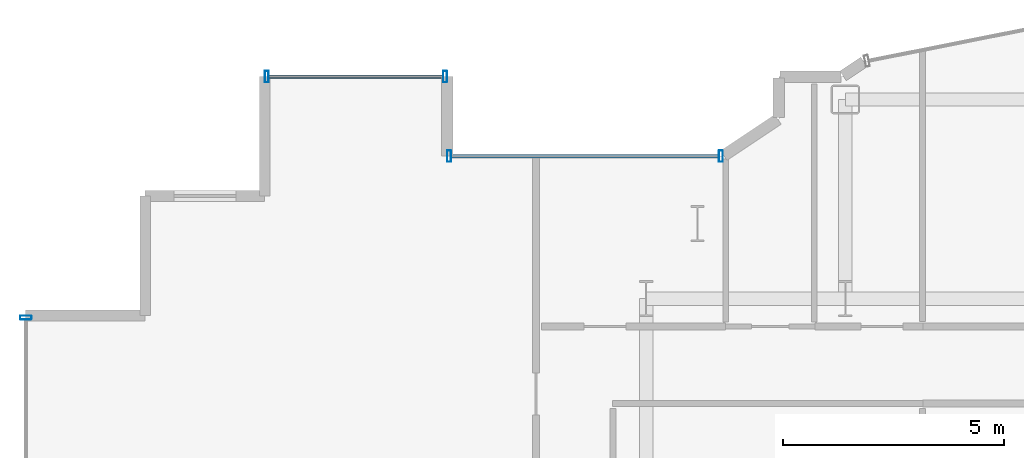
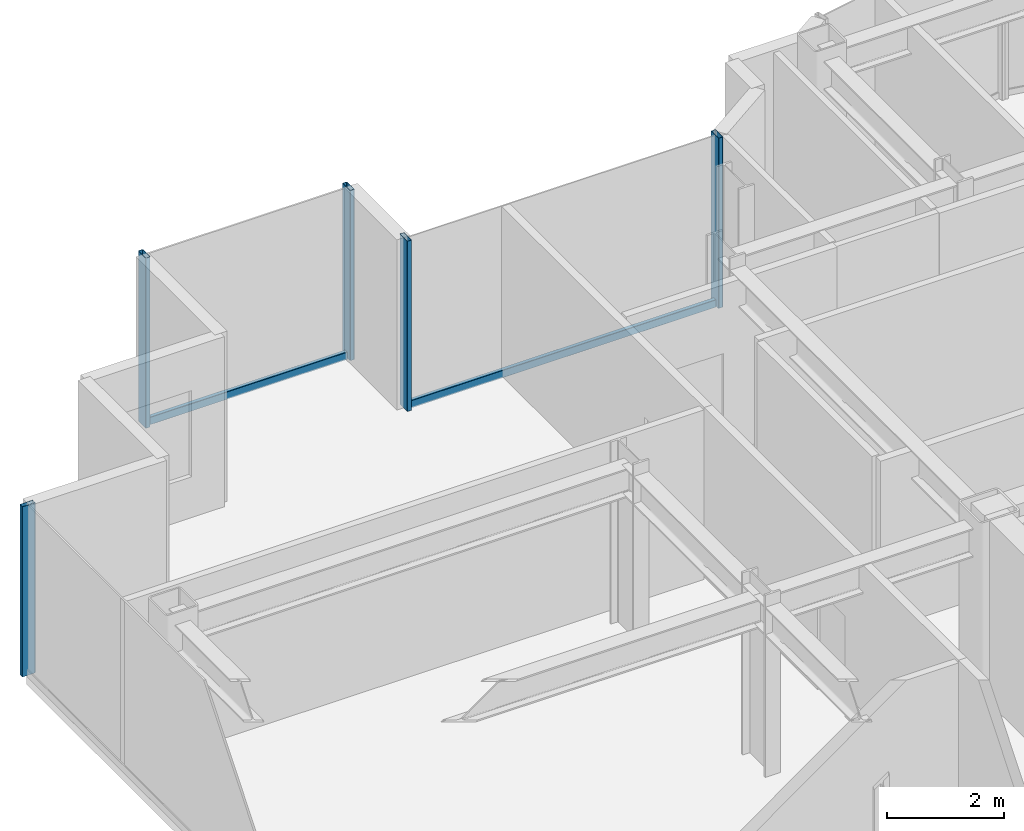
# One storey, part 8 of 20: 7 members, 3 elements without a shape of their own.
"""IFC4 building model written with IfcOpenShell, lengths in metres."""

from ifc_helpers import new_model, si_unit, direction, frame, origin, origin_2d, place, context, subcontext, project, spatial, hollow_rectangle, extrude, source, transform, mapped, material, layer, layer_set, material_profile, profile_set, type_object, element, aggregate, save


model = new_model("IFC4")

# Units and contexts
model_context = context("Model", 3, precision=1e-05, world=origin(), true_north=direction((0.0, 1.0)))
body_context = subcontext(model_context, "Body", "Model", "MODEL_VIEW")
ifc_project = project(units=[si_unit("LENGTHUNIT", "METRE"), si_unit("AREAUNIT", "SQUARE_METRE"), si_unit("VOLUMEUNIT", "CUBIC_METRE"), si_unit("PLANEANGLEUNIT", "RADIAN"), si_unit("MASSUNIT", "GRAM", prefix="KILO")], contexts=[model_context])

# Site, building, storey
site_placement = place(None, origin())
site = spatial("IfcSite", under=ifc_project, at=site_placement, CompositionType="ELEMENT")
building_placement = place(site_placement, origin())
building = spatial("IfcBuilding", under=site, at=building_placement, Name="Nefas-Gora Pilgrimage Tower", CompositionType="ELEMENT")
storey_placement = place(building_placement, frame((0.0, 0.0, 244.60009765625)))
storey = spatial("IfcBuildingStorey", under=building, at=storey_placement, Name="L61", CompositionType="ELEMENT", Elevation=244.60009765625)

# Curtain wall, members
ifc_material_1 = material(Name="Dark ceramic-fritted solar-control aluminium-glass curtain wall", Category="aluminium")
ifc_layer_1 = layer(ifc_material_1, 0.219970703125)
ifc_layer_set_1 = layer_set([ifc_layer_1], Name="Dark ceramic-fritted solar-control aluminium-glass curtain wall")
curtain_wall_type_1 = type_object("IfcCurtainWallType", Name="CW-SYS-5", PredefinedType="NOTDEFINED", material=ifc_layer_set_1)
curtain_wall_1_placement = place(storey_placement, origin())
curtain_wall_1 = element("IfcCurtainWall", 1, at=curtain_wall_1_placement, inside=storey, type_object=curtain_wall_type_1, Name="L61 Unitised Curtain Wall CW5", PredefinedType="NOTDEFINED")
ifc_material_2 = material(Name="Anodised architectural aluminium", Category="aluminium")
ifc_material_profile_1 = material_profile(ifc_material_2, hollow_rectangle(XDim=0.080078125, YDim=0.159912109375, WallThickness=0.00439453125, InnerFilletRadius=0.00439453125, OuterFilletRadius=0.009033203125, at=origin_2d()), Name="ALU TRANSOM 80x160")
ifc_profile_set_1 = profile_set([ifc_material_profile_1], Name="Anodised architectural aluminium")
member_type_1 = type_object("IfcMemberType", Name="CWM-TRN-5", PredefinedType="USERDEFINED", material=ifc_profile_set_1)
shared_shape_1 = source(origin(), body_context, "Body", "SweptSolid", [
    extrude(hollow_rectangle(XDim=0.080078125, YDim=0.159912109375, WallThickness=0.00439453125, InnerFilletRadius=0.00439453125, OuterFilletRadius=0.009033203125, at=origin_2d()), origin(), (0.0, 0.0, 1.0), 6.052001953125),
])
member_1_placement = place(storey_placement, frame((-9.60791015625, 21.219970703125, 0.0498046875), z_axis=(-1.0, 0.0, 0.0), x_axis=(0.0, -1.0, 0.0)))
member_1 = element("IfcMember", 2, at=member_1_placement, type_object=member_type_1, Name="CW5 Spandrel Transom", ObjectType="TRANSOM", PredefinedType="USERDEFINED", context=body_context, shape_type="MappedRepresentation", body=[
    mapped(shared_shape_1, transform((0.0, 0.0, 0.0), x_axis=(1.0, 0.0, 0.0), y_axis=(0.0, 1.0, 0.0), z_axis=(0.0, 0.0, 1.0), scale=1.0)),
])
ifc_material_profile_2 = material_profile(ifc_material_2, hollow_rectangle(XDim=0.090087890625, YDim=0.260009765625, WallThickness=0.006103515625, InnerFilletRadius=0.006103515625, OuterFilletRadius=0.011962890625, at=origin_2d()), Name="ALU MULLION 90x260")
ifc_profile_set_2 = profile_set([ifc_material_profile_2], Name="Anodised architectural aluminium")
member_type_2 = type_object("IfcMemberType", Name="CWM-MUL-5", PredefinedType="MULLION", material=ifc_profile_set_2)
shared_shape_2 = source(origin(), body_context, "Body", "SweptSolid", [
    extrude(hollow_rectangle(XDim=0.090087890625, YDim=0.260009765625, WallThickness=0.006103515625, InnerFilletRadius=0.006103515625, OuterFilletRadius=0.011962890625, at=origin_2d()), origin(), (0.0, 0.0, 1.0), 3.5498046875),
])
member_2_placement = place(storey_placement, frame((-9.56298828125, 21.219970703125, 0.0), z_axis=(0.0, 0.0, 1.0), x_axis=(-1.0, 0.0, 0.0)))
member_2 = element("IfcMember", 3, at=member_2_placement, type_object=member_type_2, Name="CW5 Mullion 1", PredefinedType="MULLION", context=body_context, shape_type="MappedRepresentation", body=[
    mapped(shared_shape_2, transform((0.0, 0.0, 0.0), x_axis=(1.0, 0.0, 0.0), y_axis=(0.0, 1.0, 0.0), z_axis=(0.0, 0.0, 1.0), scale=1.0)),
])
member_3_placement = place(storey_placement, frame((-15.705078125, 21.219970703125, 0.0), z_axis=(0.0, 0.0, 1.0), x_axis=(-1.0, 0.0, 0.0)))
member_3 = element("IfcMember", 4, at=member_3_placement, type_object=member_type_2, Name="CW5 Mullion 2", PredefinedType="MULLION", context=body_context, shape_type="MappedRepresentation", body=[
    mapped(shared_shape_2, transform((0.0, 0.0, 0.0), x_axis=(1.0, 0.0, 0.0), y_axis=(0.0, 1.0, 0.0), z_axis=(0.0, 0.0, 1.0), scale=1.0)),
])
aggregate(curtain_wall_1, [member_2, member_3, member_1])

ifc_layer_2 = layer(ifc_material_1, 0.219970703125)
ifc_layer_set_2 = layer_set([ifc_layer_2], Name="Dark ceramic-fritted solar-control aluminium-glass curtain wall")
curtain_wall_type_2 = type_object("IfcCurtainWallType", Name="CW-SYS-3", PredefinedType="NOTDEFINED", material=ifc_layer_set_2)
curtain_wall_2_placement = place(storey_placement, origin())
curtain_wall_2 = element("IfcCurtainWall", 5, at=curtain_wall_2_placement, inside=storey, type_object=curtain_wall_type_2, Name="L61 Unitised Curtain Wall CW3", PredefinedType="NOTDEFINED")
ifc_material_profile_3 = material_profile(ifc_material_2, hollow_rectangle(XDim=0.090087890625, YDim=0.260009765625, WallThickness=0.006103515625, InnerFilletRadius=0.006103515625, OuterFilletRadius=0.011962890625, at=origin_2d()), Name="ALU MULLION 90x260")
ifc_profile_set_3 = profile_set([ifc_material_profile_3], Name="Anodised architectural aluminium")
member_type_3 = type_object("IfcMemberType", Name="CWM-MUL-3", PredefinedType="MULLION", material=ifc_profile_set_3)
shared_shape_3 = source(origin(), body_context, "Body", "SweptSolid", [
    extrude(hollow_rectangle(XDim=0.090087890625, YDim=0.260009765625, WallThickness=0.006103515625, InnerFilletRadius=0.006103515625, OuterFilletRadius=0.011962890625, at=origin_2d()), origin(), (0.0, 0.0, 1.0), 3.5498046875),
])
member_4_placement = place(storey_placement, frame((-15.794921875, 23.02001953125, 0.0), z_axis=(0.0, 0.0, 1.0), x_axis=(-1.0, 0.0, 0.0)))
member_4 = element("IfcMember", 6, at=member_4_placement, type_object=member_type_3, Name="CW3 Mullion 1", PredefinedType="MULLION", context=body_context, shape_type="MappedRepresentation", body=[
    mapped(shared_shape_3, transform((0.0, 0.0, 0.0), x_axis=(1.0, 0.0, 0.0), y_axis=(0.0, 1.0, 0.0), z_axis=(0.0, 0.0, 1.0), scale=1.0)),
])
member_5_placement = place(storey_placement, frame((-19.824951171875, 23.02001953125, 0.0), z_axis=(0.0, 0.0, 1.0), x_axis=(-1.0, 0.0, 0.0)))
member_5 = element("IfcMember", 7, at=member_5_placement, type_object=member_type_3, Name="CW3 Mullion 2", PredefinedType="MULLION", context=body_context, shape_type="MappedRepresentation", body=[
    mapped(shared_shape_3, transform((0.0, 0.0, 0.0), x_axis=(1.0, 0.0, 0.0), y_axis=(0.0, 1.0, 0.0), z_axis=(0.0, 0.0, 1.0), scale=1.0)),
])

# Curtain wall, member
curtain_wall_3_placement = place(storey_placement, origin())
curtain_wall_3 = element("IfcCurtainWall", 8, at=curtain_wall_3_placement, inside=storey, type_object=curtain_wall_type_2, Name="L61 Unitised Curtain Wall CW3", PredefinedType="NOTDEFINED")
member_6_placement = place(storey_placement, frame((-25.27001953125, 17.574951171875, 0.0), z_axis=(0.0, 0.0, 1.0), x_axis=(0.0, -1.0, 0.0)))
member_6 = element("IfcMember", 9, at=member_6_placement, type_object=member_type_3, Name="CW3 Mullion 1", PredefinedType="MULLION", context=body_context, shape_type="MappedRepresentation", body=[
    mapped(shared_shape_3, transform((0.0, 0.0, 0.0), x_axis=(1.0, 0.0, 0.0), y_axis=(0.0, 1.0, 0.0), z_axis=(0.0, 0.0, 1.0), scale=1.0)),
])
aggregate(curtain_wall_3, [member_6])

# Member
ifc_material_profile_4 = material_profile(ifc_material_2, hollow_rectangle(XDim=0.080078125, YDim=0.159912109375, WallThickness=0.00439453125, InnerFilletRadius=0.00439453125, OuterFilletRadius=0.009033203125, at=origin_2d()), Name="ALU TRANSOM 80x160")
ifc_profile_set_4 = profile_set([ifc_material_profile_4], Name="Anodised architectural aluminium")
member_type_4 = type_object("IfcMemberType", Name="CWM-TRN-3", PredefinedType="USERDEFINED", material=ifc_profile_set_4)
shared_shape_4 = source(origin(), body_context, "Body", "SweptSolid", [
    extrude(hollow_rectangle(XDim=0.080078125, YDim=0.159912109375, WallThickness=0.00439453125, InnerFilletRadius=0.00439453125, OuterFilletRadius=0.009033203125, at=origin_2d()), origin(), (0.0, 0.0, 1.0), 3.93994140625),
])
member_7_placement = place(storey_placement, frame((-15.840087890625, 23.02001953125, 0.0498046875), z_axis=(-1.0, 0.0, 0.0), x_axis=(0.0, -1.0, 0.0)))
member_7 = element("IfcMember", 10, at=member_7_placement, type_object=member_type_4, Name="CW3 Spandrel Transom", ObjectType="TRANSOM", PredefinedType="USERDEFINED", context=body_context, shape_type="MappedRepresentation", body=[
    mapped(shared_shape_4, transform((0.0, 0.0, 0.0), x_axis=(1.0, 0.0, 0.0), y_axis=(0.0, 1.0, 0.0), z_axis=(0.0, 0.0, 1.0), scale=1.0)),
])

aggregate(curtain_wall_2, [member_4, member_5, member_7])

save(model, "model.ifc")
